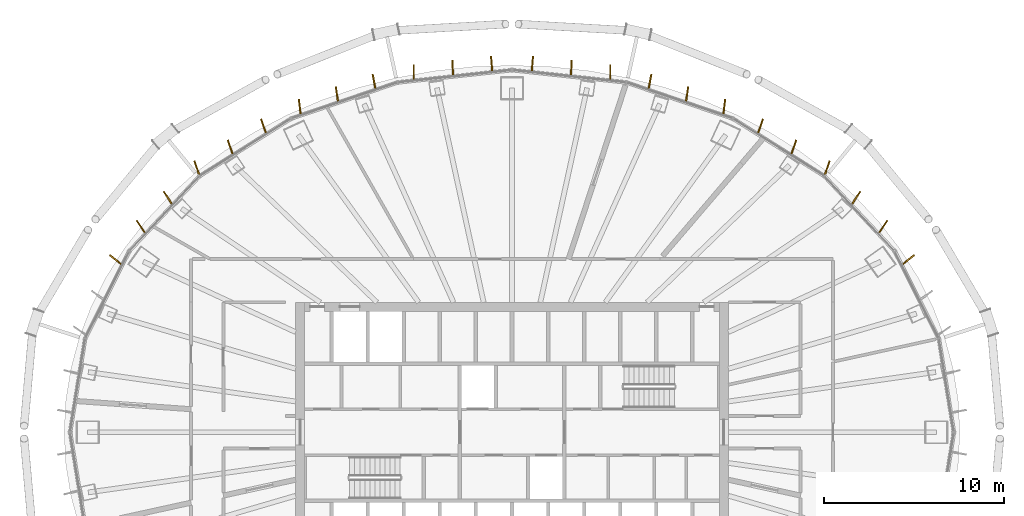
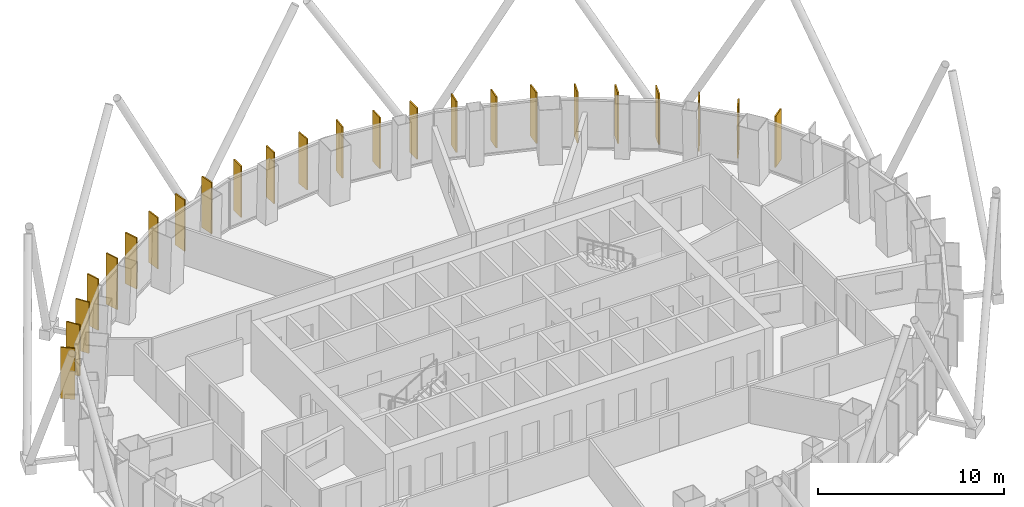
# One storey, part 18 of 18: 24 shading devices.
"""IFC4 building model written with IfcOpenShell, lengths in metres."""

from ifc_helpers import new_model, si_unit, direction, frame, origin, origin_2d, place, context, subcontext, project, spatial, rectangle, extrude, material, layer, layer_set, type_object, element, save


model = new_model("IFC4")

# Units and contexts
model_context = context("Model", 3, precision=1e-05, world=origin(), true_north=direction((0.0, 1.0)))
body_context = subcontext(model_context, "Body", "Model", "MODEL_VIEW")
ifc_project = project(units=[si_unit("LENGTHUNIT", "METRE"), si_unit("AREAUNIT", "SQUARE_METRE"), si_unit("VOLUMEUNIT", "CUBIC_METRE"), si_unit("PLANEANGLEUNIT", "RADIAN"), si_unit("MASSUNIT", "GRAM", prefix="KILO")], contexts=[model_context])

# Site, building, storey
site_placement = place(None, origin())
site = spatial("IfcSite", under=ifc_project, at=site_placement, CompositionType="ELEMENT")
building_placement = place(site_placement, origin())
building = spatial("IfcBuilding", under=site, at=building_placement, Name="Siaravel Broadcast Tower", CompositionType="ELEMENT")
storey_placement = place(building_placement, frame((0.0, 0.0, 141.5)))
storey = spatial("IfcBuildingStorey", under=building, at=storey_placement, Name="L34", CompositionType="ELEMENT", Elevation=141.5)

# Shading devices
ifc_material = material(Name="Bronze anodised aluminium", Category="aluminium")
ifc_layer = layer(ifc_material, 0.080078125)
ifc_layer_set = layer_set([ifc_layer], Name="Bronze anodised aluminium")
shading_device_type = type_object("IfcShadingDeviceType", Name="Bronze fin zone 2", PredefinedType="USERDEFINED", material=ifc_layer_set)
for number, where, z_axis, x_axis, name in (
    (1, (21.99365234375, 9.572509765625, 0.300048828125), (0.0, 0.0, 1.0), (0.784288272, 0.620396571, 0.0), "Bronze fin L34-05"),
    (2, (20.59130859375, 11.411376953125, 0.300048828125), (0.0, 0.0, 1.0), (0.558868745, 0.829256128, 0.0), "Bronze fin L34-06"),
    (3, (19.0908203125, 13.010986328125, 0.300048828125), (0.0, 0.0, 1.0), (0.546758274, 0.837290505, 0.0), "Bronze fin L34-07"),
    (4, (17.4814453125, 14.664306640625, 0.300048828125), (0.0, 0.0, 1.0), (0.311520719, 0.95023936, 0.0), "Bronze fin L34-08"),
    (5, (15.631103515625, 15.827880859375, 0.300048828125), (0.0, 0.0, 1.0), (0.315821266, 0.948818701, 0.0), "Bronze fin L34-09"),
    (6, (13.783935546875, 16.989990234375, 0.300048828125), (0.0, 0.0, 1.0), (0.328449608, 0.944521495, 0.0), "Bronze fin L34-10"),
    (7, (11.77197265625, 18.059326171875, 0.300048828125), (0.0, 0.0, 1.0), (0.121469168, 0.992595205, 0.0), "Bronze fin L34-11"),
    (8, (9.711181640625, 18.760498046875, 0.300048828125), (0.0, 0.0, 1.0), (0.148867461, 0.988857158, 0.0), "Bronze fin L34-12"),
    (9, (7.653076171875, 19.461181640625, 0.300048828125), (0.0, 0.0, 1.0), (0.182130842, 0.983274304, 0.0), "Bronze fin L34-13"),
    (10, (5.447509765625, 19.980712890625, 0.300048828125), (0.0, 0.0, 1.0), (0.001307251, 0.999999146, 0.0), "Bronze fin L34-14"),
    (11, (3.288818359375, 20.21484375, 0.300048828125), (0.0, 0.0, 1.0), (0.042405762, 0.999100471, 0.0), "Bronze fin L34-15"),
    (12, (1.131103515625, 20.448486328125, 0.300048828125), (0.0, 0.0, 1.0), (0.085556038, 0.99633336, 0.0), "Bronze fin L34-16"),
    (13, (-1.131103515625, 20.448486328125, 0.300048828125), (0.0, 0.0, 1.0), (-0.085556038, 0.99633336, 0.0), "Bronze fin L34-17"),
    (14, (-3.288818359375, 20.21484375, 0.300048828125), (0.0, 0.0, 1.0), (-0.042405762, 0.999100471, 0.0), "Bronze fin L34-18"),
    (15, (-5.447509765625, 19.980712890625, 0.300048828125), (0.0, 0.0, 1.0), (-0.001307251, 0.999999146, 0.0), "Bronze fin L34-19"),
    (16, (-7.653076171875, 19.461181640625, 0.300048828125), (0.0, 0.0, 1.0), (-0.182130842, 0.983274304, 0.0), "Bronze fin L34-20"),
    (17, (-9.711181640625, 18.760498046875, 0.300048828125), (0.0, 0.0, 1.0), (-0.148867461, 0.988857158, 0.0), "Bronze fin L34-21"),
    (18, (-11.77197265625, 18.059326171875, 0.300048828125), (0.0, 0.0, 1.0), (-0.121469168, 0.992595205, 0.0), "Bronze fin L34-22"),
    (19, (-13.783935546875, 16.989990234375, 0.300048828125), (0.0, 0.0, 1.0), (-0.328449608, 0.944521495, 0.0), "Bronze fin L34-23"),
    (20, (-15.631103515625, 15.827880859375, 0.300048828125), (0.0, 0.0, 1.0), (-0.315821266, 0.948818701, 0.0), "Bronze fin L34-24"),
    (21, (-17.4814453125, 14.664306640625, 0.300048828125), (0.0, 0.0, 1.0), (-0.311520719, 0.95023936, 0.0), "Bronze fin L34-25"),
    (22, (-19.0908203125, 13.010986328125, 0.300048828125), (0.0, 0.0, 1.0), (-0.546758274, 0.837290505, 0.0), "Bronze fin L34-26"),
    (23, (-20.59130859375, 11.411376953125, 0.300048828125), (0.0, 0.0, 1.0), (-0.558868745, 0.829256128, 0.0), "Bronze fin L34-27"),
    (24, (-21.99365234375, 9.572509765625, 0.300048828125), (0.0, 0.0, 1.0), (-0.784288272, 0.620396571, 0.0), "Bronze fin L34-28"),
):
    element("IfcShadingDevice", number, at=place(storey_placement, frame(where, z_axis=z_axis, x_axis=x_axis)), inside=storey, type_object=shading_device_type, Name=name, ObjectType="FIN", PredefinedType="USERDEFINED", context=body_context, shape_type="SweptSolid", body=[
        extrude(rectangle(XDim=0.800048828125, YDim=0.080078125, at=origin_2d()), origin(), (0.0, 0.0, 1.0), 3.35009765625),
    ])

save(model, "model.ifc")
